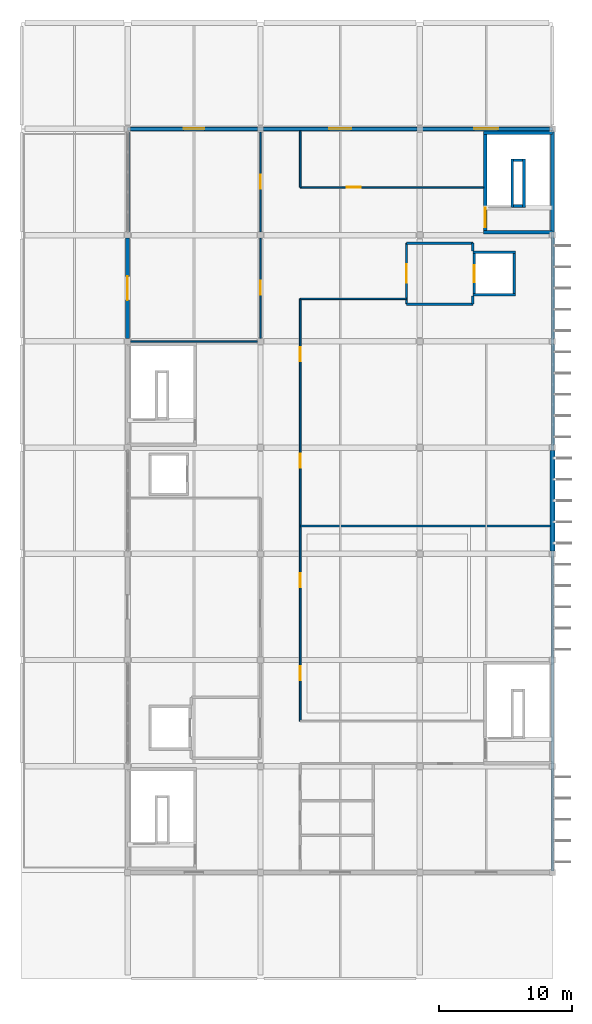
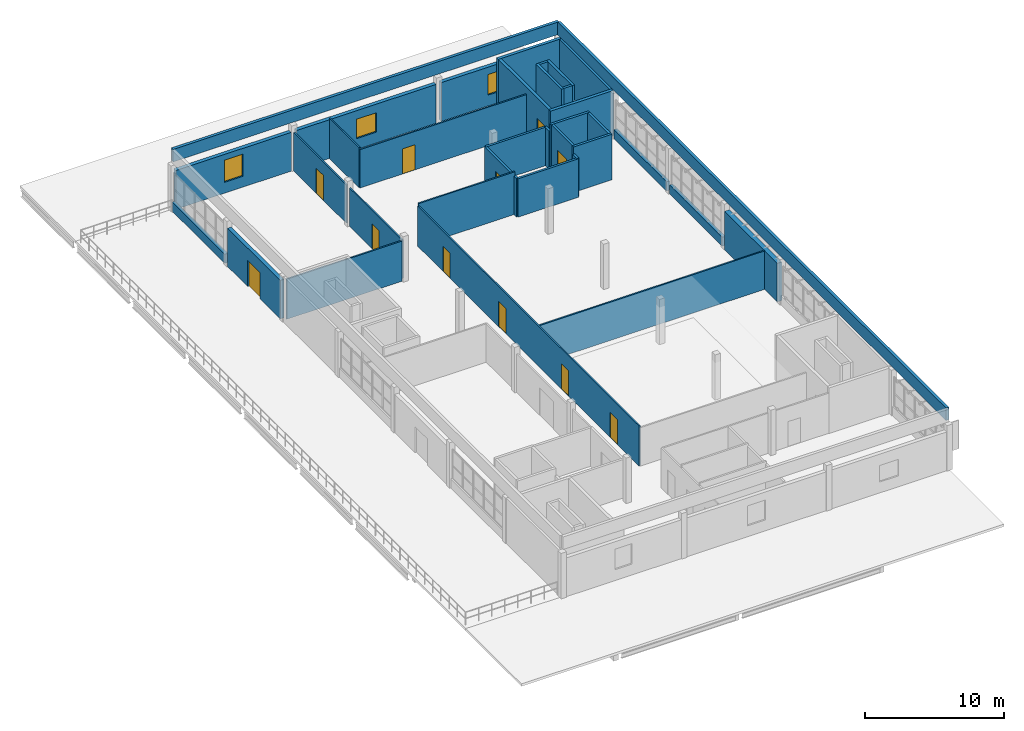
# One storey, part 10 of 12: 35 walls, 11 doors, 3 windows, 14 openings.
"""IFC4 building model written with IfcOpenShell, lengths in metres."""

from ifc_helpers import new_model, si_unit, direction, frame, frame_2d, origin, place, context, subcontext, project, spatial, rectangle, extrude, material, layer, layer_set, type_object, element, fill, save


model = new_model("IFC4")

# Units and contexts
model_context = context("Model", 3, precision=1e-05, world=origin(), true_north=direction((0.0, 1.0)))
body_context = subcontext(model_context, "Body", "Model", "MODEL_VIEW")
ifc_project = project(units=[si_unit("LENGTHUNIT", "METRE"), si_unit("AREAUNIT", "SQUARE_METRE"), si_unit("VOLUMEUNIT", "CUBIC_METRE"), si_unit("PLANEANGLEUNIT", "RADIAN"), si_unit("MASSUNIT", "GRAM", prefix="KILO")], contexts=[model_context])

# Site, building, storey
site_placement = place(None, origin())
site = spatial("IfcSite", under=ifc_project, at=site_placement, CompositionType="ELEMENT")
building_placement = place(site_placement, origin())
building = spatial("IfcBuilding", under=site, at=building_placement, Name="Drelvana Railside Aquatics Centre", CompositionType="ELEMENT")
storey_placement = place(building_placement, frame((0.0, 0.0, 18.60009765625)))
storey = spatial("IfcBuildingStorey", under=building, at=storey_placement, Name="L04", CompositionType="ELEMENT", Elevation=18.60009765625)

# Walls
ifc_material_1 = material(Name="Concrete blockwork compartment wall", Category="masonry")
ifc_layer_1 = layer(ifc_material_1, 0.18505859375, Name="Concrete blockwork compartment wall")
ifc_layer_set_1 = layer_set([ifc_layer_1], Name="Concrete blockwork compartment wall")
wall_type_1 = type_object("IfcWallType", Name="WL-COMP-185", PredefinedType="STANDARD", material=ifc_layer_set_1)
for number, where, z_axis, x_axis, name in (
    (1, (178.0, 66.800048828125, 0.0), (0.0, 0.0, 1.0), (-1.0, 0.0, 0.0), "Firefighting lobby FL-02 S wall (L04)"),
    (2, (173.0, 71.39990234375, 0.0), (0.0, 0.0, 1.0), (1.0, 0.0, 0.0), "Firefighting lobby FL-02 N wall (L04)"),
):
    element("IfcWall", number, at=place(storey_placement, frame(where, z_axis=z_axis, x_axis=x_axis)), inside=storey, type_object=wall_type_1, Name=name, PredefinedType="STANDARD", context=body_context, shape_type="SweptSolid", body=[
        extrude(rectangle(XDim=5.0, YDim=0.18505859375, at=frame_2d((2.5, 0.0))), origin(), (0.0, 0.0, 1.0), 3.364990234375),
    ])

# Wall, opening, door
wall_1_placement = place(storey_placement, frame((173.0, 66.800048828125, 0.0), z_axis=(0.0, 0.0, 1.0), x_axis=(0.0, 1.0, 0.0)))
wall_1 = element("IfcWall", 3, at=wall_1_placement, inside=storey, type_object=wall_type_1, Name="Firefighting lobby FL-02 COR wall (L04)", PredefinedType="STANDARD", context=body_context, shape_type="SweptSolid", body=[
    extrude(rectangle(XDim=4.599853515625, YDim=0.18505859375, at=frame_2d((2.2998046875, 0.0))), origin(), (0.0, 0.0, 1.0), 3.364990234375),
])
opening_1_placement = place(wall_1_placement, frame((1.60009765625, 0.0, 0.0)))
opening_1 = element("IfcOpeningElement", 4, at=opening_1_placement, cuts=wall_1, Name="Opening D-03-070", PredefinedType="OPENING", context=body_context, shape_type="SweptSolid", body=[
    extrude(rectangle(XDim=1.39990234375, YDim=2.199951171875, at=frame_2d((0.699951171875, 1.10009765625))), frame((0.0, 0.1025390625, 0.0), z_axis=(0.0, -1.0, 0.0), x_axis=(1.0, 0.0, 0.0)), (0.0, 0.0, 1.0), 0.205078125),
])
ifc_material_2 = material(Name="Firefighting lobby door", Category="wood")
door_type_1 = type_object("IfcDoorType", Name="DR-INT-FFLOB-1400x2200", OperationType="DOUBLE_DOOR_SINGLE_SWING", PredefinedType="DOOR", material=ifc_material_2)
door_1_placement = place(opening_1_placement, origin())
door_1 = element("IfcDoor", 5, at=door_1_placement, inside=storey, type_object=door_type_1, Name="Firefighting lobby FL-02 door D-03-070", OperationType="DOUBLE_DOOR_SINGLE_SWING", OverallHeight=2.199951171875, OverallWidth=1.39990234375, PredefinedType="DOOR", context=body_context, shape_type="SweptSolid", body=[
    extrude(rectangle(XDim=1.39990234375, YDim=2.199951171875, at=frame_2d((0.699951171875, 1.10009765625))), frame((0.0, 0.02490234375, 0.0), z_axis=(0.0, -1.0, 0.0), x_axis=(1.0, 0.0, 0.0)), (0.0, 0.0, 1.0), 0.050048828125),
])
fill(opening_1, door_1)

# Walls
for number, where, z_axis, x_axis, name in (
    (6, (178.0, 66.800048828125, 0.0), (0.0, 0.0, 1.0), (0.0, 1.0, 0.0), "Firefighting lobby FL-02 SHS wall (L04)"),
    (7, (178.0, 70.800048828125, 0.0), (0.0, 0.0, 1.0), (0.0, 1.0, 0.0), "Firefighting lobby FL-02 SHN wall (L04)"),
):
    element("IfcWall", number, at=place(storey_placement, frame(where, z_axis=z_axis, x_axis=x_axis)), inside=storey, type_object=wall_type_1, Name=name, PredefinedType="STANDARD", context=body_context, shape_type="SweptSolid", body=[
        extrude(rectangle(XDim=0.599853515625, YDim=0.18505859375, at=frame_2d((0.2998046875, 0.0))), origin(), (0.0, 0.0, 1.0), 3.364990234375),
    ])
ifc_material_3 = material(Name="Concrete C40/50", Category="concrete")
ifc_layer_2 = layer(ifc_material_3, 0.25, Name="Concrete C40/50")
ifc_layer_set_2 = layer_set([ifc_layer_2], Name="Concrete C40/50")
wall_type_2 = type_object("IfcWallType", Name="WL-CORE-250", PredefinedType="SHEAR", material=ifc_layer_set_2)
for number, where, z_axis, x_axis, name in (
    (8, (178.800048828125, 72.22509765625, 0.0), (0.0, 0.0, 1.0), (1.0, 0.0, 0.0), "Core 7 Federation Wing Avenue-East S core wall (L04)"),
    (9, (178.800048828125, 79.715087890625, 0.0), (0.0, 0.0, 1.0), (1.0, 0.0, 0.0), "Core 7 Federation Wing Avenue-East N core wall (L04)"),
):
    element("IfcWall", number, at=place(storey_placement, frame(where, z_axis=z_axis, x_axis=x_axis)), inside=storey, type_object=wall_type_2, Name=name, PredefinedType="SHEAR", context=body_context, shape_type="SweptSolid", body=[
        extrude(rectangle(XDim=5.199951171875, YDim=0.25, at=frame_2d((2.60009765625, 0.0))), origin(), (0.0, 0.0, 1.0), 3.98486328125),
    ])

# Wall, opening, door
wall_2_placement = place(storey_placement, frame((178.925048828125, 72.35009765625, 0.0), z_axis=(0.0, 0.0, 1.0), x_axis=(0.0, 1.0, 0.0)))
wall_2 = element("IfcWall", 10, at=wall_2_placement, inside=storey, type_object=wall_type_2, Name="Core 7 Federation Wing Avenue-East W core wall (L04)", PredefinedType="SHEAR", context=body_context, shape_type="SweptSolid", body=[
    extrude(rectangle(XDim=7.239990234375, YDim=0.25, at=frame_2d((3.6201171875, 0.0))), origin(), (0.0, 0.0, 1.0), 3.98486328125),
])
opening_2_placement = place(wall_2_placement, frame((0.25, 0.0, 0.0)))
opening_2 = element("IfcOpeningElement", 11, at=opening_2_placement, cuts=wall_2, Name="Opening D-01-058", PredefinedType="OPENING", context=body_context, shape_type="SweptSolid", body=[
    extrude(rectangle(XDim=1.449951171875, YDim=2.199951171875, at=frame_2d((0.72509765625, 1.10009765625))), frame((0.0, 0.135009765625, 0.0), z_axis=(0.0, -1.0, 0.0), x_axis=(1.0, 0.0, 0.0)), (0.0, 0.0, 1.0), 0.27001953125),
])
ifc_material_4 = material(Name="Fire-rated steel and vision-panel door", Category="steel")
door_type_2 = type_object("IfcDoorType", Name="DR-INT-STAIR-1450x2200", OperationType="DOUBLE_DOOR_SINGLE_SWING", PredefinedType="DOOR", material=ifc_material_4)
door_2_placement = place(opening_2_placement, origin())
door_2 = element("IfcDoor", 12, at=door_2_placement, inside=storey, type_object=door_type_2, Name="Stair ST-07 lobby door D-01-058", OperationType="DOUBLE_DOOR_SINGLE_SWING", OverallHeight=2.199951171875, OverallWidth=1.449951171875, PredefinedType="DOOR", context=body_context, shape_type="SweptSolid", body=[
    extrude(rectangle(XDim=1.449951171875, YDim=2.199951171875, at=frame_2d((0.72509765625, 1.10009765625))), frame((0.0, 0.02490234375, 0.0), z_axis=(0.0, -1.0, 0.0), x_axis=(1.0, 0.0, 0.0)), (0.0, 0.0, 1.0), 0.050048828125),
])
fill(opening_2, door_2)

# Wall
ifc_layer_3 = layer(ifc_material_3, 0.300048828125, Name="Concrete C40/50")
ifc_layer_set_3 = layer_set([ifc_layer_3], Name="Concrete C40/50")
wall_type_3 = type_object("IfcWallType", Name="WL-CORE-300", PredefinedType="SHEAR", material=ifc_layer_set_3)
wall_3_placement = place(storey_placement, frame((184.0, 72.220947265625, 0.0), z_axis=(0.0, 0.0, 1.0), x_axis=(0.0, 1.0, 0.0)))
element("IfcWall", 13, at=wall_3_placement, inside=storey, type_object=wall_type_3, Name="Core east avenue shear wall 72 (L04)", PredefinedType="SHEAR", context=body_context, shape_type="SweptSolid", body=[
    extrude(rectangle(XDim=7.55810546875, YDim=0.300048828125, at=frame_2d((3.779052734375, 0.0))), origin(), (0.0, 0.0, 1.0), 3.98486328125),
])

# Wall, opening, door
ifc_material_5 = material(Name="Acoustic twin-stud gypsum partition", Category="gypsum")
ifc_layer_4 = layer(ifc_material_5, 0.1201171875, Name="Acoustic twin-stud gypsum partition")
ifc_layer_set_4 = layer_set([ifc_layer_4], Name="Acoustic twin-stud gypsum partition")
wall_type_4 = type_object("IfcWallType", Name="WL-DRY-120", PredefinedType="PARTITIONING", material=ifc_layer_set_4)
wall_4_placement = place(storey_placement, frame((162.0, 64.22705078125, 0.0), z_axis=(0.0, 0.0, 1.0), x_axis=(0.0, 1.0, 0.0)))
wall_4 = element("IfcWall", 14, at=wall_4_placement, inside=storey, type_object=wall_type_4, Name="V5 L04 west corridor wall", PredefinedType="PARTITIONING", context=body_context, shape_type="SweptSolid", body=[
    extrude(rectangle(XDim=7.5458984375, YDim=0.1201171875, at=frame_2d((3.77294921875, 0.0))), origin(), (0.0, 0.0, 1.0), 3.364990234375),
])
opening_3_placement = place(wall_4_placement, frame((3.27294921875, 0.0, 0.0)))
opening_3 = element("IfcOpeningElement", 15, at=opening_3_placement, cuts=wall_4, Name="Opening D-18-252", PredefinedType="OPENING", context=body_context, shape_type="SweptSolid", body=[
    extrude(rectangle(XDim=1.050048828125, YDim=2.199951171875, at=frame_2d((0.52490234375, 1.10009765625))), frame((0.0, 0.070068359375, 0.0), z_axis=(0.0, -1.0, 0.0), x_axis=(1.0, 0.0, 0.0)), (0.0, 0.0, 1.0), 0.14013671875),
])
ifc_material_6 = material(Name="Seminar and boardroom acoustic door", Category="wood")
door_type_3 = type_object("IfcDoorType", Name="DR-INT-ROOM-1050x2200", OperationType="NOTDEFINED", PredefinedType="DOOR", material=ifc_material_6)
door_3_placement = place(opening_3_placement, origin())
door_3 = element("IfcDoor", 16, at=door_3_placement, inside=storey, type_object=door_type_3, Name="Competition directorate south door D-18-252", OperationType="SINGLE_SWING_LEFT", OverallHeight=2.199951171875, OverallWidth=1.050048828125, PredefinedType="DOOR", context=body_context, shape_type="SweptSolid", body=[
    extrude(rectangle(XDim=1.050048828125, YDim=2.199951171875, at=frame_2d((0.52490234375, 1.10009765625))), frame((0.0, 0.02490234375, 0.0), z_axis=(0.0, -1.0, 0.0), x_axis=(1.0, 0.0, 0.0)), (0.0, 0.0, 1.0), 0.050048828125),
])
fill(opening_3, door_3)

wall_5_placement = place(storey_placement, frame((162.0, 72.22705078125, 0.0), z_axis=(0.0, 0.0, 1.0), x_axis=(0.0, 1.0, 0.0)))
wall_5 = element("IfcWall", 17, at=wall_5_placement, inside=storey, type_object=wall_type_4, Name="V5 L04 west corridor wall", PredefinedType="PARTITIONING", context=body_context, shape_type="SweptSolid", body=[
    extrude(rectangle(XDim=7.5458984375, YDim=0.1201171875, at=frame_2d((3.77294921875, 0.0))), origin(), (0.0, 0.0, 1.0), 3.364990234375),
])
opening_4_placement = place(wall_5_placement, frame((3.27294921875, 0.0, 0.0)))
opening_4 = element("IfcOpeningElement", 18, at=opening_4_placement, cuts=wall_5, Name="Opening D-18-253", PredefinedType="OPENING", context=body_context, shape_type="SweptSolid", body=[
    extrude(rectangle(XDim=1.050048828125, YDim=2.199951171875, at=frame_2d((0.52490234375, 1.10009765625))), frame((0.0, 0.070068359375, 0.0), z_axis=(0.0, -1.0, 0.0), x_axis=(1.0, 0.0, 0.0)), (0.0, 0.0, 1.0), 0.14013671875),
])
door_4_placement = place(opening_4_placement, origin())
door_4 = element("IfcDoor", 19, at=door_4_placement, inside=storey, type_object=door_type_3, Name="Competition directorate north door D-18-253", OperationType="SINGLE_SWING_RIGHT", OverallHeight=2.199951171875, OverallWidth=1.050048828125, PredefinedType="DOOR", context=body_context, shape_type="SweptSolid", body=[
    extrude(rectangle(XDim=1.050048828125, YDim=2.199951171875, at=frame_2d((0.52490234375, 1.10009765625))), frame((0.0, 0.02490234375, 0.0), z_axis=(0.0, -1.0, 0.0), x_axis=(1.0, 0.0, 0.0)), (0.0, 0.0, 1.0), 0.050048828125),
])
fill(opening_4, door_4)

# Wall
wall_6_placement = place(storey_placement, frame((152.22705078125, 64.0, 0.0), z_axis=(0.0, 0.0, 1.0), x_axis=(1.0, 0.0, 0.0)))
element("IfcWall", 20, at=wall_6_placement, inside=storey, type_object=wall_type_4, Name="V5 L04 C8 alcove N wall", PredefinedType="PARTITIONING", context=body_context, shape_type="SweptSolid", body=[
    extrude(rectangle(XDim=9.5458984375, YDim=0.1201171875, at=frame_2d((4.77294921875, 0.0))), origin(), (0.0, 0.0, 1.0), 3.514892578125),
])

# Wall, openings, doors
wall_7_placement = place(storey_placement, frame((165.0, 35.39990234375, 0.0), z_axis=(0.0, 0.0, 1.0), x_axis=(0.0, 1.0, 0.0)))
wall_7 = element("IfcWall", 21, at=wall_7_placement, inside=storey, type_object=wall_type_4, Name="V5 L04 east corridor wall", PredefinedType="PARTITIONING", context=body_context, shape_type="SweptSolid", body=[
    extrude(rectangle(XDim=31.800048828125, YDim=0.1201171875, at=frame_2d((15.89990234375, 0.0))), origin(), (0.0, 0.0, 1.0), 3.514892578125),
])
opening_5_placement = place(wall_7_placement, frame((3.10009765625, 0.0, 0.0)))
opening_5 = element("IfcOpeningElement", 22, at=opening_5_placement, cuts=wall_7, Name="Opening D-18-257", PredefinedType="OPENING", context=body_context, shape_type="SweptSolid", body=[
    extrude(rectangle(XDim=1.050048828125, YDim=2.199951171875, at=frame_2d((0.52490234375, 1.10009765625))), frame((0.0, 0.070068359375, 0.0), z_axis=(0.0, -1.0, 0.0), x_axis=(1.0, 0.0, 0.0)), (0.0, 0.0, 1.0), 0.14013671875),
])
opening_6_placement = place(wall_7_placement, frame((10.10009765625, 0.0, 0.0)))
opening_6 = element("IfcOpeningElement", 23, at=opening_6_placement, cuts=wall_7, Name="Opening D-18-258", PredefinedType="OPENING", context=body_context, shape_type="SweptSolid", body=[
    extrude(rectangle(XDim=1.050048828125, YDim=2.199951171875, at=frame_2d((0.52490234375, 1.10009765625))), frame((0.0, 0.070068359375, 0.0), z_axis=(0.0, -1.0, 0.0), x_axis=(1.0, 0.0, 0.0)), (0.0, 0.0, 1.0), 0.14013671875),
])
opening_7_placement = place(wall_7_placement, frame((19.10009765625, 0.0, 0.0)))
opening_7 = element("IfcOpeningElement", 24, at=opening_7_placement, cuts=wall_7, Name="Opening D-18-259", PredefinedType="OPENING", context=body_context, shape_type="SweptSolid", body=[
    extrude(rectangle(XDim=1.050048828125, YDim=2.199951171875, at=frame_2d((0.52490234375, 1.10009765625))), frame((0.0, 0.070068359375, 0.0), z_axis=(0.0, -1.0, 0.0), x_axis=(1.0, 0.0, 0.0)), (0.0, 0.0, 1.0), 0.14013671875),
])
opening_8_placement = place(wall_7_placement, frame((27.10009765625, 0.0, 0.0)))
opening_8 = element("IfcOpeningElement", 25, at=opening_8_placement, cuts=wall_7, Name="Opening D-18-260", PredefinedType="OPENING", context=body_context, shape_type="SweptSolid", body=[
    extrude(rectangle(XDim=1.050048828125, YDim=2.199951171875, at=frame_2d((0.52490234375, 1.10009765625))), frame((0.0, 0.070068359375, 0.0), z_axis=(0.0, -1.0, 0.0), x_axis=(1.0, 0.0, 0.0)), (0.0, 0.0, 1.0), 0.14013671875),
])
door_5_placement = place(opening_5_placement, origin())
door_5 = element("IfcDoor", 26, at=door_5_placement, inside=storey, type_object=door_type_3, Name="National Aquatics Boardroom south door D-18-257", OperationType="SINGLE_SWING_RIGHT", OverallHeight=2.199951171875, OverallWidth=1.050048828125, PredefinedType="DOOR", context=body_context, shape_type="SweptSolid", body=[
    extrude(rectangle(XDim=1.050048828125, YDim=2.199951171875, at=frame_2d((0.52490234375, 1.10009765625))), frame((0.0, 0.02490234375, 0.0), z_axis=(0.0, -1.0, 0.0), x_axis=(1.0, 0.0, 0.0)), (0.0, 0.0, 1.0), 0.050048828125),
])
fill(opening_5, door_5)
door_6_placement = place(opening_6_placement, origin())
door_6 = element("IfcDoor", 27, at=door_6_placement, inside=storey, type_object=door_type_3, Name="National Aquatics Boardroom north door D-18-258", OperationType="SINGLE_SWING_LEFT", OverallHeight=2.199951171875, OverallWidth=1.050048828125, PredefinedType="DOOR", context=body_context, shape_type="SweptSolid", body=[
    extrude(rectangle(XDim=1.050048828125, YDim=2.199951171875, at=frame_2d((0.52490234375, 1.10009765625))), frame((0.0, 0.02490234375, 0.0), z_axis=(0.0, -1.0, 0.0), x_axis=(1.0, 0.0, 0.0)), (0.0, 0.0, 1.0), 0.050048828125),
])
fill(opening_6, door_6)
door_7_placement = place(opening_7_placement, origin())
door_7 = element("IfcDoor", 28, at=door_7_placement, inside=storey, type_object=door_type_3, Name="Federation Executive Suite south door D-18-259", OperationType="SINGLE_SWING_RIGHT", OverallHeight=2.199951171875, OverallWidth=1.050048828125, PredefinedType="DOOR", context=body_context, shape_type="SweptSolid", body=[
    extrude(rectangle(XDim=1.050048828125, YDim=2.199951171875, at=frame_2d((0.52490234375, 1.10009765625))), frame((0.0, 0.02490234375, 0.0), z_axis=(0.0, -1.0, 0.0), x_axis=(1.0, 0.0, 0.0)), (0.0, 0.0, 1.0), 0.050048828125),
])
fill(opening_7, door_7)
door_8_placement = place(opening_8_placement, origin())
door_8 = element("IfcDoor", 29, at=door_8_placement, inside=storey, type_object=door_type_3, Name="Federation Executive Suite north door D-18-260", OperationType="SINGLE_SWING_LEFT", OverallHeight=2.199951171875, OverallWidth=1.050048828125, PredefinedType="DOOR", context=body_context, shape_type="SweptSolid", body=[
    extrude(rectangle(XDim=1.050048828125, YDim=2.199951171875, at=frame_2d((0.52490234375, 1.10009765625))), frame((0.0, 0.02490234375, 0.0), z_axis=(0.0, -1.0, 0.0), x_axis=(1.0, 0.0, 0.0)), (0.0, 0.0, 1.0), 0.050048828125),
])
fill(opening_8, door_8)

# Walls
wall_8_placement = place(storey_placement, frame((165.0, 75.60009765625, 0.0), z_axis=(0.0, 0.0, 1.0), x_axis=(0.0, 1.0, 0.0)))
element("IfcWall", 30, at=wall_8_placement, inside=storey, type_object=wall_type_4, Name="V5 L04 east corridor wall", PredefinedType="PARTITIONING", context=body_context, shape_type="SweptSolid", body=[
    extrude(rectangle(XDim=4.25, YDim=0.1201171875, at=frame_2d((2.125, 0.0))), origin(), (0.0, 0.0, 1.0), 3.514892578125),
])
wall_9_placement = place(storey_placement, frame((165.0, 67.199951171875, 0.0), z_axis=(0.0, 0.0, 1.0), x_axis=(1.0, 0.0, 0.0)))
element("IfcWall", 31, at=wall_9_placement, inside=storey, type_object=wall_type_4, Name="L04 C7 branch S wall", PredefinedType="PARTITIONING", context=body_context, shape_type="SweptSolid", body=[
    extrude(rectangle(XDim=8.0, YDim=0.1201171875, at=frame_2d((4.0, 0.0))), origin(), (0.0, 0.0, 1.0), 3.724853515625),
])

# Wall, opening, door
wall_10_placement = place(storey_placement, frame((165.0, 75.60009765625, 0.0), z_axis=(0.0, 0.0, 1.0), x_axis=(1.0, 0.0, 0.0)))
wall_10 = element("IfcWall", 32, at=wall_10_placement, inside=storey, type_object=wall_type_4, Name="L04 C7 branch N wall", PredefinedType="PARTITIONING", context=body_context, shape_type="SweptSolid", body=[
    extrude(rectangle(XDim=13.800048828125, YDim=0.1201171875, at=frame_2d((6.89990234375, 0.0))), origin(), (0.0, 0.0, 1.0), 3.364990234375),
])
opening_9_placement = place(wall_10_placement, frame((3.5, 0.0, 0.0)))
opening_9 = element("IfcOpeningElement", 33, at=opening_9_placement, cuts=wall_10, Name="Opening D-18-262", PredefinedType="OPENING", context=body_context, shape_type="SweptSolid", body=[
    extrude(rectangle(XDim=1.050048828125, YDim=2.199951171875, at=frame_2d((0.52490234375, 1.10009765625))), frame((0.0, 0.070068359375, 0.0), z_axis=(0.0, -1.0, 0.0), x_axis=(1.0, 0.0, 0.0)), (0.0, 0.0, 1.0), 0.14013671875),
])
door_9_placement = place(opening_9_placement, origin())
door_9 = element("IfcDoor", 34, at=door_9_placement, inside=storey, type_object=door_type_3, Name="Technical Officials Library door D-18-262", OperationType="SINGLE_SWING_LEFT", OverallHeight=2.199951171875, OverallWidth=1.050048828125, PredefinedType="DOOR", context=body_context, shape_type="SweptSolid", body=[
    extrude(rectangle(XDim=1.050048828125, YDim=2.199951171875, at=frame_2d((0.52490234375, 1.10009765625))), frame((0.0, 0.02490234375, 0.0), z_axis=(0.0, -1.0, 0.0), x_axis=(1.0, 0.0, 0.0)), (0.0, 0.0, 1.0), 0.050048828125),
])
fill(opening_9, door_9)

# Walls
wall_11_placement = place(storey_placement, frame((165.0, 50.10009765625, 0.0), z_axis=(0.0, 0.0, 1.0), x_axis=(1.0, 0.0, 0.0)))
element("IfcWall", 35, at=wall_11_placement, inside=storey, type_object=wall_type_4, Name="L04 East room divider", PredefinedType="PARTITIONING", context=body_context, shape_type="SweptSolid", body=[
    extrude(rectangle(XDim=18.840087890625, YDim=0.1201171875, at=frame_2d((9.419921875, 0.0))), origin(), (0.0, 0.0, 1.0), 3.364990234375),
])
ifc_material_7 = material(Name="Glazed ceramic spandrel wall", Category="masonry")
ifc_layer_5 = layer(ifc_material_7, 0.27001953125, Name="Glazed ceramic spandrel wall")
ifc_layer_set_5 = layer_set([ifc_layer_5], Name="Glazed ceramic spandrel wall")
wall_type_5 = type_object("IfcWallType", Name="WL-EXT-270", PredefinedType="STANDARD", material=ifc_layer_set_5)
for number, where, z_axis, x_axis, name in (
    (36, (152.0, 72.220947265625, 0.0), (0.0, 0.0, 1.0), (0.0, 1.0, 0.0), "L04 West sill wall"),
    (37, (184.0, 56.220947265625, 0.0), (0.0, 0.0, 1.0), (0.0, 1.0, 0.0), "V5 East L04 sill spandrel"),
    (38, (184.0, 64.220947265625, 0.0), (0.0, 0.0, 1.0), (0.0, 1.0, 0.0), "V5 East L04 sill spandrel"),
):
    element("IfcWall", number, at=place(storey_placement, frame(where, z_axis=z_axis, x_axis=x_axis)), inside=storey, type_object=wall_type_5, Name=name, PredefinedType="STANDARD", context=body_context, shape_type="SweptSolid", body=[
        extrude(rectangle(XDim=7.55810546875, YDim=0.27001953125, at=frame_2d((3.779052734375, 0.0))), origin(), (0.0, 0.0, 1.0), 0.7998046875),
    ])

# Wall, opening, door
ifc_material_8 = material(Name="Terracotta rainscreen masonry wall", Category="masonry")
ifc_layer_6 = layer(ifc_material_8, 0.31005859375, Name="Terracotta rainscreen masonry wall")
ifc_layer_set_6 = layer_set([ifc_layer_6], Name="Terracotta rainscreen masonry wall")
wall_type_6 = type_object("IfcWallType", Name="WL-EXT-310", PredefinedType="STANDARD", material=ifc_layer_set_6)
wall_12_placement = place(storey_placement, frame((152.0, 64.220947265625, 0.0), z_axis=(0.0, 0.0, 1.0), x_axis=(0.0, 1.0, 0.0)))
wall_12 = element("IfcWall", 39, at=wall_12_placement, inside=storey, type_object=wall_type_6, Name="Belvedere terrace portal wall 64", PredefinedType="STANDARD", context=body_context, shape_type="SweptSolid", body=[
    extrude(rectangle(XDim=7.55810546875, YDim=0.31005859375, at=frame_2d((3.779052734375, 0.0))), origin(), (0.0, 0.0, 1.0), 3.364990234375),
])
opening_10_placement = place(wall_12_placement, frame((2.87890625, 0.0, 0.0)))
opening_10 = element("IfcOpeningElement", 40, at=opening_10_placement, cuts=wall_12, Name="Opening EX-05-022", PredefinedType="OPENING", context=body_context, shape_type="SweptSolid", body=[
    extrude(rectangle(XDim=1.800048828125, YDim=2.300048828125, at=frame_2d((0.89990234375, 1.14990234375))), frame((0.0, 0.1650390625, 0.0), z_axis=(0.0, -1.0, 0.0), x_axis=(1.0, 0.0, 0.0)), (0.0, 0.0, 1.0), 0.330078125),
])
ifc_material_9 = material(Name="Thermally broken bronze-anodised aluminium and glazed door", Category="aluminium")
door_type_4 = type_object("IfcDoorType", Name="DR-EXT-TER-1800x2300", OperationType="DOUBLE_DOOR_SINGLE_SWING", PredefinedType="DOOR", material=ifc_material_9)
door_10_placement = place(opening_10_placement, origin())
door_10 = element("IfcDoor", 41, at=door_10_placement, inside=storey, type_object=door_type_4, Name="Belvedere Terrace door EX-05-022", OperationType="DOUBLE_DOOR_SINGLE_SWING", OverallHeight=2.300048828125, OverallWidth=1.800048828125, PredefinedType="DOOR", context=body_context, shape_type="SweptSolid", body=[
    extrude(rectangle(XDim=1.800048828125, YDim=2.300048828125, at=frame_2d((0.89990234375, 1.14990234375))), frame((0.0, 0.02490234375, 0.0), z_axis=(0.0, -1.0, 0.0), x_axis=(1.0, 0.0, 0.0)), (0.0, 0.0, 1.0), 0.050048828125),
])
fill(opening_10, door_10)

# Wall, opening, window
wall_13_placement = place(storey_placement, frame((152.220947265625, 80.0, 0.0), z_axis=(0.0, 0.0, 1.0), x_axis=(1.0, 0.0, 0.0)))
wall_13 = element("IfcWall", 42, at=wall_13_placement, inside=storey, type_object=wall_type_6, Name="V5 L04 end bay wall", PredefinedType="STANDARD", context=body_context, shape_type="SweptSolid", body=[
    extrude(rectangle(XDim=9.55810546875, YDim=0.31005859375, at=frame_2d((4.779052734375, 0.0))), origin(), (0.0, 0.0, 1.0), 3.39990234375),
])
opening_11_placement = place(wall_13_placement, frame((4.00390625, 0.0, 0.949951171875)))
opening_11 = element("IfcOpeningElement", 43, at=opening_11_placement, cuts=wall_13, Name="Opening W-18", PredefinedType="OPENING", context=body_context, shape_type="SweptSolid", body=[
    extrude(rectangle(XDim=1.550048828125, YDim=1.949951171875, at=frame_2d((0.77490234375, 0.97509765625))), frame((0.0, 0.1650390625, 0.0), z_axis=(0.0, -1.0, 0.0), x_axis=(1.0, 0.0, 0.0)), (0.0, 0.0, 1.0), 0.330078125),
])
ifc_material_10 = material(Name="Double-glazed solar-control aluminium window", Category="aluminium")
window_type_1 = type_object("IfcWindowType", Name="WIN-18", PartitioningType="SINGLE_PANEL", PredefinedType="WINDOW", material=ifc_material_10)
window_1_placement = place(opening_11_placement, origin())
window_1 = element("IfcWindow", 44, at=window_1_placement, inside=storey, type_object=window_type_1, Name="V5 L04 end window WIN-18", OverallHeight=1.949951171875, OverallWidth=1.550048828125, PartitioningType="SINGLE_PANEL", PredefinedType="WINDOW", context=body_context, shape_type="SweptSolid", body=[
    extrude(rectangle(XDim=1.550048828125, YDim=1.949951171875, at=frame_2d((0.77490234375, 0.97509765625))), frame((0.0, 0.030029296875, 0.0), z_axis=(0.0, -1.0, 0.0), x_axis=(1.0, 0.0, 0.0)), (0.0, 0.0, 1.0), 0.06005859375),
])
fill(opening_11, window_1)

wall_14_placement = place(storey_placement, frame((162.220947265625, 80.0, 0.0), z_axis=(0.0, 0.0, 1.0), x_axis=(1.0, 0.0, 0.0)))
wall_14 = element("IfcWall", 45, at=wall_14_placement, inside=storey, type_object=wall_type_6, Name="V5 L04 end bay wall", PredefinedType="STANDARD", context=body_context, shape_type="SweptSolid", body=[
    extrude(rectangle(XDim=11.55810546875, YDim=0.31005859375, at=frame_2d((5.779052734375, 0.0))), origin(), (0.0, 0.0, 1.0), 3.39990234375),
])
opening_12_placement = place(wall_14_placement, frame((4.9541015625, 0.0, 0.949951171875)))
opening_12 = element("IfcOpeningElement", 46, at=opening_12_placement, cuts=wall_14, Name="Opening W-20", PredefinedType="OPENING", context=body_context, shape_type="SweptSolid", body=[
    extrude(rectangle(XDim=1.64990234375, YDim=1.699951171875, at=frame_2d((0.824951171875, 0.85009765625))), frame((0.0, 0.1650390625, 0.0), z_axis=(0.0, -1.0, 0.0), x_axis=(1.0, 0.0, 0.0)), (0.0, 0.0, 1.0), 0.330078125),
])
window_type_2 = type_object("IfcWindowType", Name="WIN-20", PartitioningType="SINGLE_PANEL", PredefinedType="WINDOW", material=ifc_material_10)
window_2_placement = place(opening_12_placement, origin())
window_2 = element("IfcWindow", 47, at=window_2_placement, inside=storey, type_object=window_type_2, Name="V5 L04 end window WIN-20", OverallHeight=1.699951171875, OverallWidth=1.64990234375, PartitioningType="SINGLE_PANEL", PredefinedType="WINDOW", context=body_context, shape_type="SweptSolid", body=[
    extrude(rectangle(XDim=1.64990234375, YDim=1.699951171875, at=frame_2d((0.824951171875, 0.85009765625))), frame((0.0, 0.030029296875, 0.0), z_axis=(0.0, -1.0, 0.0), x_axis=(1.0, 0.0, 0.0)), (0.0, 0.0, 1.0), 0.06005859375),
])
fill(opening_12, window_2)

wall_15_placement = place(storey_placement, frame((174.220947265625, 80.0, 0.0), z_axis=(0.0, 0.0, 1.0), x_axis=(1.0, 0.0, 0.0)))
wall_15 = element("IfcWall", 48, at=wall_15_placement, inside=storey, type_object=wall_type_6, Name="V5 L04 end bay wall", PredefinedType="STANDARD", context=body_context, shape_type="SweptSolid", body=[
    extrude(rectangle(XDim=9.55810546875, YDim=0.31005859375, at=frame_2d((4.779052734375, 0.0))), origin(), (0.0, 0.0, 1.0), 3.39990234375),
])
opening_13_placement = place(wall_15_placement, frame((3.87890625, 0.0, 0.949951171875)))
opening_13 = element("IfcOpeningElement", 49, at=opening_13_placement, cuts=wall_15, Name="Opening W-22", PredefinedType="OPENING", context=body_context, shape_type="SweptSolid", body=[
    extrude(rectangle(XDim=1.800048828125, YDim=1.800048828125, at=frame_2d((0.89990234375, 0.89990234375))), frame((0.0, 0.1650390625, 0.0), z_axis=(0.0, -1.0, 0.0), x_axis=(1.0, 0.0, 0.0)), (0.0, 0.0, 1.0), 0.330078125),
])
window_type_3 = type_object("IfcWindowType", Name="WIN-22", PartitioningType="SINGLE_PANEL", PredefinedType="WINDOW", material=ifc_material_10)
window_3_placement = place(opening_13_placement, origin())
window_3 = element("IfcWindow", 50, at=window_3_placement, inside=storey, type_object=window_type_3, Name="V5 L04 end window WIN-22", OverallHeight=1.800048828125, OverallWidth=1.800048828125, PartitioningType="SINGLE_PANEL", PredefinedType="WINDOW", context=body_context, shape_type="SweptSolid", body=[
    extrude(rectangle(XDim=1.800048828125, YDim=1.800048828125, at=frame_2d((0.89990234375, 0.89990234375))), frame((0.0, 0.030029296875, 0.0), z_axis=(0.0, -1.0, 0.0), x_axis=(1.0, 0.0, 0.0)), (0.0, 0.0, 1.0), 0.06005859375),
])
fill(opening_13, window_3)

# Walls
ifc_material_11 = material(Name="Heavy thermal-mass stone facade wall", Category="masonry")
ifc_layer_7 = layer(ifc_material_11, 0.389892578125, Name="Heavy thermal-mass stone facade wall")
ifc_layer_set_7 = layer_set([ifc_layer_7], Name="Heavy thermal-mass stone facade wall")
wall_type_7 = type_object("IfcWallType", Name="WL-EXT-390", PredefinedType="STANDARD", material=ifc_layer_set_7)
wall_16_placement = place(storey_placement, frame((184.0, 48.220947265625, 0.0), z_axis=(0.0, 0.0, 1.0), x_axis=(0.0, 1.0, 0.0)))
element("IfcWall", 51, at=wall_16_placement, inside=storey, type_object=wall_type_7, Name="V5 East braced masonry bay (L04)", PredefinedType="STANDARD", context=body_context, shape_type="SweptSolid", body=[
    extrude(rectangle(XDim=7.55810546875, YDim=0.389892578125, at=frame_2d((3.779052734375, 0.0))), origin(), (0.0, 0.0, 1.0), 3.364990234375),
])
ifc_material_12 = material(Name="Precast concrete C40/50", Category="concrete")
ifc_layer_8 = layer(ifc_material_12, 0.239990234375, Name="Precast concrete C40/50")
ifc_layer_set_8 = layer_set([ifc_layer_8], Name="Precast concrete C40/50")
wall_type_8 = type_object("IfcWallType", Name="WL-PAR-240", PredefinedType="PARAPET", material=ifc_layer_set_8)
wall_17_placement = place(storey_placement, frame((152.0, 80.0, 4.199951171875), z_axis=(0.0, 0.0, 1.0), x_axis=(1.0, 0.0, 0.0)))
element("IfcWall", 52, at=wall_17_placement, inside=storey, type_object=wall_type_8, Name="Roof parapet wall 2", PredefinedType="PARAPET", context=body_context, shape_type="SweptSolid", body=[
    extrude(rectangle(XDim=32.0, YDim=0.239990234375, at=frame_2d((16.0, 0.0))), origin(), (0.0, 0.0, 1.0), 1.099853515625),
])
wall_18_placement = place(storey_placement, frame((184.0, 24.1201171875, 4.199951171875), z_axis=(0.0, 0.0, 1.0), x_axis=(0.0, 1.0, 0.0)))
element("IfcWall", 53, at=wall_18_placement, inside=storey, type_object=wall_type_8, Name="Roof parapet wall 4", PredefinedType="PARAPET", context=body_context, shape_type="SweptSolid", body=[
    extrude(rectangle(XDim=55.759765625, YDim=0.239990234375, at=frame_2d((27.8798828125, 0.0))), origin(), (0.0, 0.0, 1.0), 1.099853515625),
])
ifc_layer_9 = layer(ifc_material_3, 0.199951171875, Name="Concrete C40/50")
ifc_layer_set_9 = layer_set([ifc_layer_9], Name="Concrete C40/50")
wall_type_9 = type_object("IfcWallType", Name="WL-SHFT-200", PredefinedType="SHEAR", material=ifc_layer_set_9)
for number, where, z_axis, x_axis, name in (
    (54, (180.949951171875, 74.090087890625, 0.0), (0.0, 0.0, 1.0), (0.0, 1.0, 0.0), "Stair ST-07 central spine wall A (L04)"),
    (55, (181.85009765625, 74.090087890625, 0.0), (0.0, 0.0, 1.0), (0.0, 1.0, 0.0), "Stair ST-07 central spine wall B (L04)"),
):
    element("IfcWall", number, at=place(storey_placement, frame(where, z_axis=z_axis, x_axis=x_axis)), inside=storey, type_object=wall_type_9, Name=name, PredefinedType="SHEAR", context=body_context, shape_type="SweptSolid", body=[
        extrude(rectangle(XDim=3.659912109375, YDim=0.199951171875, at=frame_2d((1.830078125, 0.0))), origin(), (0.0, 0.0, 1.0), 3.98486328125),
    ])
for number, where, z_axis, x_axis, name in (
    (56, (181.050048828125, 74.18994140625, 0.0), (0.0, 0.0, 1.0), (1.0, 0.0, 0.0), "Stair ST-07 central spine wall S (L04)"),
    (57, (181.050048828125, 77.64990234375, 0.0), (0.0, 0.0, 1.0), (1.0, 0.0, 0.0), "Stair ST-07 central spine wall N (L04)"),
):
    element("IfcWall", number, at=place(storey_placement, frame(where, z_axis=z_axis, x_axis=x_axis)), inside=storey, type_object=wall_type_9, Name=name, PredefinedType="SHEAR", context=body_context, shape_type="SweptSolid", body=[
        extrude(rectangle(XDim=0.699951171875, YDim=0.199951171875, at=frame_2d((0.35009765625, 0.0))), origin(), (0.0, 0.0, 1.0), 3.98486328125),
    ])
for number, where, z_axis, x_axis, name in (
    (58, (178.0, 67.5, 0.0), (0.0, 0.0, 1.0), (1.0, 0.0, 0.0), "Lift FL-02 S shaft wall (L04)"),
    (59, (178.0, 70.699951171875, 0.0), (0.0, 0.0, 1.0), (1.0, 0.0, 0.0), "Lift FL-02 N shaft wall (L04)"),
):
    element("IfcWall", number, at=place(storey_placement, frame(where, z_axis=z_axis, x_axis=x_axis)), inside=storey, type_object=wall_type_9, Name=name, PredefinedType="SHEAR", context=body_context, shape_type="SweptSolid", body=[
        extrude(rectangle(XDim=3.199951171875, YDim=0.199951171875, at=frame_2d((1.60009765625, 0.0))), origin(), (0.0, 0.0, 1.0), 3.98486328125),
    ])

# Wall, opening, door
wall_19_placement = place(storey_placement, frame((178.10009765625, 67.60009765625, 0.0), z_axis=(0.0, 0.0, 1.0), x_axis=(0.0, 1.0, 0.0)))
wall_19 = element("IfcWall", 60, at=wall_19_placement, inside=storey, type_object=wall_type_9, Name="Lift FL-02 W shaft wall (L04)", PredefinedType="SHEAR", context=body_context, shape_type="SweptSolid", body=[
    extrude(rectangle(XDim=3.0, YDim=0.199951171875, at=frame_2d((1.5, 0.0))), origin(), (0.0, 0.0, 1.0), 3.98486328125),
])
opening_14_placement = place(wall_19_placement, frame((0.85009765625, 0.0, 0.0)))
opening_14 = element("IfcOpeningElement", 61, at=opening_14_placement, cuts=wall_19, Name="Opening LD-02-069", PredefinedType="OPENING", context=body_context, shape_type="SweptSolid", body=[
    extrude(rectangle(XDim=1.300048828125, YDim=2.300048828125, at=frame_2d((0.64990234375, 1.14990234375))), frame((0.0, 0.10986328125, 0.0), z_axis=(0.0, -1.0, 0.0), x_axis=(1.0, 0.0, 0.0)), (0.0, 0.0, 1.0), 0.219970703125),
])
ifc_material_13 = material(Name="Firefighting & goods lift sliding door", Category="wood")
door_type_5 = type_object("IfcDoorType", Name="DR-LIFT-LD-1300x2300", OperationType="SLIDING_TO_RIGHT", PredefinedType="DOOR", material=ifc_material_13)
door_11_placement = place(opening_14_placement, origin())
door_11 = element("IfcDoor", 62, at=door_11_placement, inside=storey, type_object=door_type_5, Name="Lift FL-02 landing door LD-02-069", OperationType="SLIDING_TO_RIGHT", OverallHeight=2.300048828125, OverallWidth=1.300048828125, PredefinedType="DOOR", context=body_context, shape_type="SweptSolid", body=[
    extrude(rectangle(XDim=1.300048828125, YDim=2.300048828125, at=frame_2d((0.64990234375, 1.14990234375))), frame((0.0, 0.02490234375, 0.0), z_axis=(0.0, -1.0, 0.0), x_axis=(1.0, 0.0, 0.0)), (0.0, 0.0, 1.0), 0.050048828125),
])
fill(opening_14, door_11)

# Wall
wall_20_placement = place(storey_placement, frame((181.10009765625, 67.60009765625, 0.0), z_axis=(0.0, 0.0, 1.0), x_axis=(0.0, 1.0, 0.0)))
element("IfcWall", 63, at=wall_20_placement, inside=storey, type_object=wall_type_9, Name="Lift FL-02 E shaft wall (L04)", PredefinedType="SHEAR", context=body_context, shape_type="SweptSolid", body=[
    extrude(rectangle(XDim=3.0, YDim=0.199951171875, at=frame_2d((1.5, 0.0))), origin(), (0.0, 0.0, 1.0), 3.98486328125),
])

save(model, "model.ifc")
